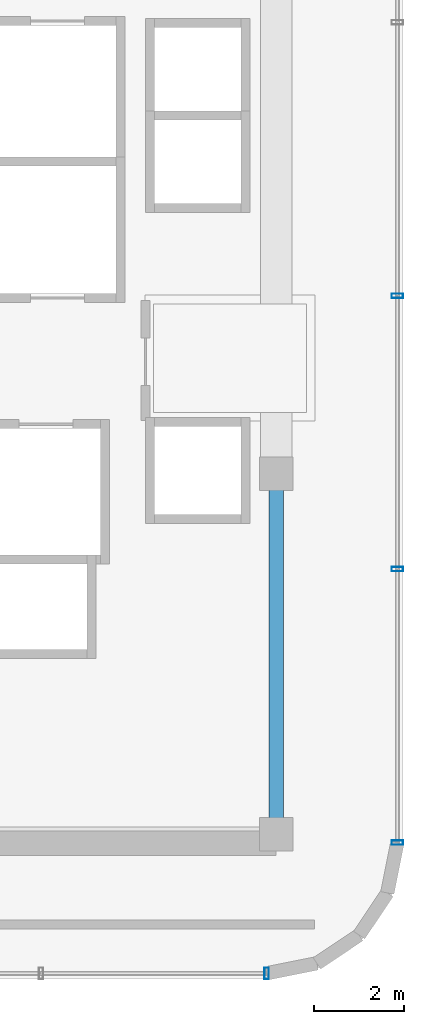
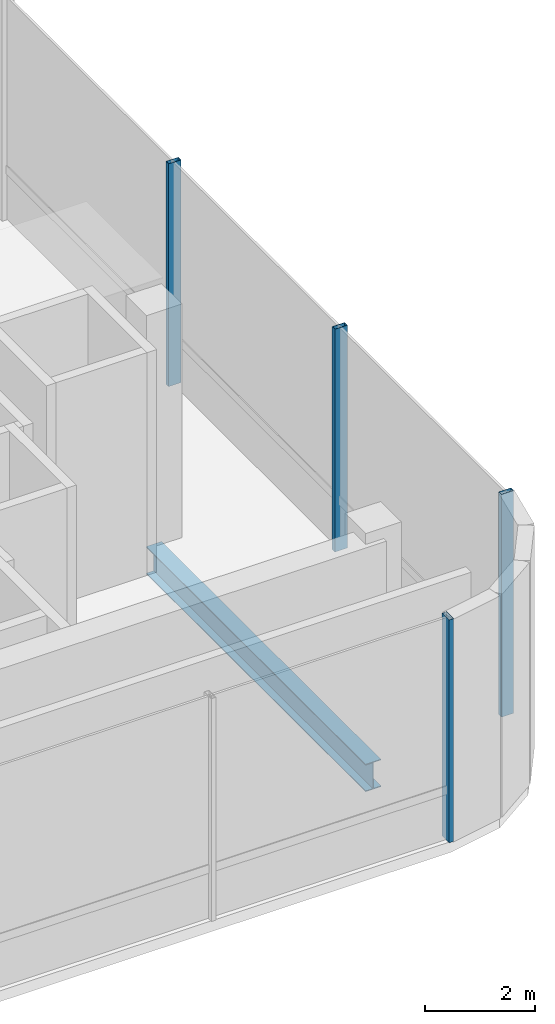
# One storey, part 5 of 13: 4 members, 1 beam, 2 elements without a shape of their own.
"""IFC4 building model written with IfcOpenShell, lengths in metres."""

import ifcopenshell
import ifcopenshell.guid

model = None  # the IFC model being written
_history = None  # IfcOwnerHistory: only IFC2X3 demands one
_inside = {}  # id of a spatial element -> (the spatial element, [elements in it])
_under = {}  # id of a project, library or spatial element -> (it, [spatial elements below it])
_declared = {}  # id of a project -> (the project, [libraries it declares])
_typed = {}  # id of a type object -> (the type object, [elements of that type])
_made_of = {}  # id of a material, layer set ... -> (it, [elements and type objects made of it])


def new_model(schema):
    """Start an empty IFC model of exactly this schema.

    Asked for "IFC4X3", IfcOpenShell would pick the latest addendum, in which some entities
    have other attributes; the version numbers below select the first issue.
    IFC2X3 requires an IfcOwnerHistory on every rooted entity: one is made here for all.
    """
    global model, _history
    if schema == "IFC4X3":
        model = ifcopenshell.file(schema_version=(4, 3, 0, 0))
    else:
        model = ifcopenshell.file(schema=schema)
    _inside.clear()
    _under.clear()
    _declared.clear()
    _typed.clear()
    _made_of.clear()
    _history = None
    if model.schema == "IFC2X3":
        org = make("IfcOrganization", Name="unknown")
        user = make(
            "IfcPersonAndOrganization",
            ThePerson=make("IfcPerson", FamilyName="unknown"),
            TheOrganization=org,
        )
        app = make(
            "IfcApplication",
            ApplicationDeveloper=org,
            Version="unknown",
            ApplicationFullName="unknown",
            ApplicationIdentifier="unknown",
        )
        _history = make(
            "IfcOwnerHistory",
            OwningUser=user,
            OwningApplication=app,
            ChangeAction="ADDED",
            CreationDate=0,
        )
    return model


def make(cls, **values):
    """One entity of the class cls with the attributes given. An attribute that is None is left unset."""
    return model.create_entity(
        cls, **{name: value for name, value in values.items() if value is not None}
    )


def rooted(cls, **values):
    """An entity with a GlobalId (a new one), such as an element, a storey or a relation."""
    return make(cls, GlobalId=ifcopenshell.guid.new(), OwnerHistory=_history, **values)


def si_unit(unit_type, name, prefix=None):
    """IfcSIUnit, for example si_unit("LENGTHUNIT", "METRE", prefix="MILLI")."""
    return make("IfcSIUnit", UnitType=unit_type, Prefix=prefix, Name=name)


def assignment(units):
    """IfcUnitAssignment: the units of a project."""
    return None if units is None else make("IfcUnitAssignment", Units=units)


def point(xyz):
    """IfcCartesianPoint."""
    return None if xyz is None else make("IfcCartesianPoint", Coordinates=xyz)


def direction(xyz):
    """IfcDirection."""
    return None if xyz is None else make("IfcDirection", DirectionRatios=xyz)


def frame(location, z_axis=None, x_axis=None):
    """IfcAxis2Placement3D, a coordinate frame: its origin and axes. An axis left out is left unset."""
    return make(
        "IfcAxis2Placement3D",
        Location=point(location),
        Axis=direction(z_axis),
        RefDirection=direction(x_axis),
    )


def frame_2d(location, x_axis=None):
    """IfcAxis2Placement2D, a coordinate frame in the plane: its origin and x axis."""
    return make(
        "IfcAxis2Placement2D", Location=point(location), RefDirection=direction(x_axis)
    )


def origin():
    """The frame at (0, 0, 0) with its axes left unset."""
    return frame((0.0, 0.0, 0.0))


def origin_2d():
    """The frame at (0, 0) in the plane with its x axis left unset."""
    return frame_2d((0.0, 0.0))


def place(relative_to, where):
    """IfcLocalPlacement: puts the frame where relative to a parent placement (None: the world)."""
    return make(
        "IfcLocalPlacement", PlacementRelTo=relative_to, RelativePlacement=where
    )


def context(
    kind, dimensions, precision=None, world=None, true_north=None, identifier=None
):
    """IfcGeometricRepresentationContext, for example the 3D "Model" context."""
    return make(
        "IfcGeometricRepresentationContext",
        ContextIdentifier=identifier,
        ContextType=kind,
        CoordinateSpaceDimension=dimensions,
        Precision=precision,
        WorldCoordinateSystem=world,
        TrueNorth=true_north,
    )


def subcontext(parent, identifier, kind, view, scale=None):
    """IfcGeometricRepresentationSubContext, for example "Body" below "Model"."""
    return make(
        "IfcGeometricRepresentationSubContext",
        ContextIdentifier=identifier,
        ContextType=kind,
        ParentContext=parent,
        TargetScale=scale,
        TargetView=view,
    )


def project(units=None, contexts=None):
    """IfcProject with its units and contexts."""
    return rooted(
        "IfcProject",
        Name="project",
        RepresentationContexts=contexts,
        UnitsInContext=assignment(units),
    )


def spatial(cls, under=None, at=None, **own):
    """A site, building, storey or space (cls), placed at a placement, below another one or the project."""
    s = rooted(cls, ObjectPlacement=at, **own)
    if under is not None:
        _under.setdefault(under.id(), (under, []))[1].append(s)
    return s


def profile(cls, at=None, kind="AREA", **sizes):
    """A parametric profile (cls). Its sizes go by their IFC names, for example OverallWidth=200.0."""
    return make(cls, ProfileType=kind, Position=at, **sizes)


def hollow_rectangle(**sizes):
    """IfcRectangleHollowProfileDef."""
    return profile("IfcRectangleHollowProfileDef", **sizes)


def i_section(**sizes):
    """IfcIShapeProfileDef."""
    return profile("IfcIShapeProfileDef", **sizes)


def extrude(swept, where, along, depth):
    """IfcExtrudedAreaSolid: the profile swept, set in the frame where, extruded along a direction by depth."""
    return make(
        "IfcExtrudedAreaSolid",
        SweptArea=swept,
        Position=where,
        ExtrudedDirection=direction(along),
        Depth=depth,
    )


def shape(context_of_items, identifier, shape_type, items):
    """IfcShapeRepresentation: the items that make up one representation, for example the "Body"."""
    return make(
        "IfcShapeRepresentation",
        ContextOfItems=context_of_items,
        RepresentationIdentifier=identifier,
        RepresentationType=shape_type,
        Items=items,
    )


def source(mapping_origin, context_of_items, identifier, shape_type, items):
    """IfcRepresentationMap: a shape defined once, which mapped items show again and again."""
    return make(
        "IfcRepresentationMap",
        MappingOrigin=mapping_origin,
        MappedRepresentation=shape(context_of_items, identifier, shape_type, items),
    )


def transform(
    local_origin,
    x_axis=None,
    y_axis=None,
    z_axis=None,
    scale=None,
    scale2=None,
    scale3=None,
    uniform=True,
):
    """IfcCartesianTransformationOperator3D, or its non-uniform kind. x_axis, y_axis, z_axis: its Axis1, 2, 3."""
    if uniform:
        return make(
            "IfcCartesianTransformationOperator3D",
            Axis1=direction(x_axis),
            Axis2=direction(y_axis),
            LocalOrigin=point(local_origin),
            Scale=scale,
            Axis3=direction(z_axis),
        )
    return make(
        "IfcCartesianTransformationOperator3DnonUniform",
        Axis1=direction(x_axis),
        Axis2=direction(y_axis),
        LocalOrigin=point(local_origin),
        Scale=scale,
        Axis3=direction(z_axis),
        Scale2=scale2,
        Scale3=scale3,
    )


def mapped(mapping_source, mapping_target):
    """IfcMappedItem: shows the shape of a source again, moved by a transform."""
    return make(
        "IfcMappedItem", MappingSource=mapping_source, MappingTarget=mapping_target
    )


def material(Name=None, Category=None):
    """IfcMaterial."""
    return make("IfcMaterial", Name=Name, Category=Category)


def material_profile(
    of_material, cross_section, Name=None, Category=None, Priority=None
):
    """IfcMaterialProfile: a cross section and its material."""
    return make(
        "IfcMaterialProfile",
        Name=Name,
        Material=of_material,
        Profile=cross_section,
        Priority=Priority,
        Category=Category,
    )


def profile_set(profiles, Name=None, composite=None):
    """IfcMaterialProfileSet."""
    return make(
        "IfcMaterialProfileSet",
        Name=Name,
        MaterialProfiles=profiles,
        CompositeProfile=composite,
    )


def made_of(thing, what):
    """Note that an element or type object is made of a material, layer set ...; save() writes the relation."""
    if what is not None:
        _made_of.setdefault(what.id(), (what, []))[1].append(thing)
    return thing


def type_object(cls, material=None, **own):
    """A type object (cls), such as IfcWallType, which elements share."""
    return made_of(rooted(cls, **own), material)


def element(
    cls,
    number,
    at=None,
    inside=None,
    cuts=None,
    type_object=None,
    material=None,
    context=None,
    identifier="Body",
    shape_type=None,
    held_by="IfcProductDefinitionShape",
    body=None,
    shapes=None,
    **own,
):
    """One element of the class cls, such as IfcWall. Its Tag is "e" and its number.

    at: its placement. inside: the storey or other place that contains it. cuts: it is an
    opening in that element (IfcRelVoidsElement). A single representation is given by context,
    identifier, shape_type and body (its items); several are given by shapes. held_by: the class
    of the entity that holds the representations. save() writes the other relations.
    """
    e = rooted(cls, Tag="e%d" % number, ObjectPlacement=at, **own)
    if body is not None:
        shapes = [shape(context, identifier, shape_type, body)]
    if shapes is not None:
        e.Representation = make(held_by, Representations=shapes)
    if inside is not None:
        _inside.setdefault(inside.id(), (inside, []))[1].append(e)
    if cuts is not None:
        rooted(
            "IfcRelVoidsElement", RelatingBuildingElement=cuts, RelatedOpeningElement=e
        )
    if type_object is not None:
        _typed.setdefault(type_object.id(), (type_object, []))[1].append(e)
    return made_of(e, material)


def aggregate(whole, parts):
    """IfcRelAggregates: a whole, such as a stair, and the parts it consists of."""
    return rooted("IfcRelAggregates", RelatingObject=whole, RelatedObjects=parts)


def save(model, path):
    """Write the relations noted so far, then the file.

    IfcRelAggregates (storeys below a building ...), IfcRelContainedInSpatialStructure (elements
    in a storey), IfcRelDefinesByType, IfcRelAssociatesMaterial and IfcRelDeclares: one each for
    every whole, place, type object, material and project.
    """
    for whole, parts in _under.values():
        aggregate(whole, parts)
    for where, things in _inside.values():
        rooted(
            "IfcRelContainedInSpatialStructure",
            RelatedElements=things,
            RelatingStructure=where,
        )
    for kind, things in _typed.values():
        rooted("IfcRelDefinesByType", RelatedObjects=things, RelatingType=kind)
    for what, things in _made_of.values():
        rooted("IfcRelAssociatesMaterial", RelatedObjects=things, RelatingMaterial=what)
    for by, libraries in _declared.values():
        rooted("IfcRelDeclares", RelatingContext=by, RelatedDefinitions=libraries)
    model.write(path)


model = new_model("IFC4")

# Units and contexts
model_context = context("Model", 3, precision=1e-05, world=origin(), true_north=direction((0.0, 1.0)))
body_context = subcontext(model_context, "Body", "Model", "MODEL_VIEW")
ifc_project = project(units=[si_unit("LENGTHUNIT", "METRE"), si_unit("AREAUNIT", "SQUARE_METRE"), si_unit("VOLUMEUNIT", "CUBIC_METRE"), si_unit("PLANEANGLEUNIT", "RADIAN"), si_unit("MASSUNIT", "GRAM", prefix="KILO")], contexts=[model_context])

# Site, building, storey
site_placement = place(None, origin())
site = spatial("IfcSite", under=ifc_project, at=site_placement, CompositionType="ELEMENT")
building_placement = place(site_placement, origin())
building = spatial("IfcBuilding", under=site, at=building_placement, Name="Valdorenza Pilgrim Sanctuary Tower", CompositionType="ELEMENT")
storey_placement = place(building_placement, frame((0.0, 0.0, 294.199951171875)))
storey = spatial("IfcBuildingStorey", under=building, at=storey_placement, Name="L77", CompositionType="ELEMENT", Elevation=294.199951171875)

# Beam
ifc_material_1 = material(Name="Steel ASTM A992 Grade 50", Category="steel")
ifc_material_profile_1 = material_profile(ifc_material_1, i_section(OverallWidth=0.323974609375, OverallDepth=0.611083984375, WebThickness=0.0126953125, FlangeThickness=0.01904296875, at=origin_2d()), Name="W24X104")
ifc_profile_set_1 = profile_set([ifc_material_profile_1], Name="Steel ASTM A992 Grade 50")
beam_type = type_object("IfcBeamType", Name="STR-BM-GRD-W24B", PredefinedType="BEAM", material=ifc_profile_set_1)
shared_shape_1 = source(origin(), body_context, "Body", "SweptSolid", [
    extrude(i_section(OverallWidth=0.323974609375, OverallDepth=0.611083984375, WebThickness=0.0126953125, FlangeThickness=0.01904296875, at=origin_2d()), origin(), (0.0, 0.0, 1.0), 8.0),
])
beam_placement = place(storey_placement, frame((-12.39990234375, -10.60009765625, -0.54541015625), z_axis=(0.0, 1.0, 0.0), x_axis=(-1.0, 0.0, 0.0)))
element("IfcBeam", 1, at=beam_placement, inside=storey, type_object=beam_type, Name="L77 Core Tie Girder CA-E-S1M0", PredefinedType="BEAM", context=body_context, shape_type="MappedRepresentation", body=[
    mapped(shared_shape_1, transform((0.0, 0.0, 0.0), x_axis=(1.0, 0.0, 0.0), y_axis=(0.0, 1.0, 0.0), z_axis=(0.0, 0.0, 1.0), scale=1.0)),
])

# Curtain wall, members
ifc_material_2 = material(Name="Curtain-wall IGU glazing", Category="glass")
curtain_wall_type = type_object("IfcCurtainWallType", Name="CW-SYS-06", PredefinedType="NOTDEFINED", material=ifc_material_2)
curtain_wall_1_placement = place(storey_placement, origin())
curtain_wall_1 = element("IfcCurtainWall", 2, at=curtain_wall_1_placement, inside=storey, type_object=curtain_wall_type, Name="L77 Curtain Wall CW-L77-1-11", PredefinedType="NOTDEFINED")
ifc_material_3 = material(Name="Anodised aluminium AW-6060", Category="aluminium")
ifc_material_profile_2 = material_profile(ifc_material_3, hollow_rectangle(XDim=0.10009765625, YDim=0.260009765625, WallThickness=0.006103515625, at=origin_2d()), Name="ALU-M 260x100x6")
ifc_profile_set_2 = profile_set([ifc_material_profile_2], Name="Anodised aluminium AW-6060")
member_type = type_object("IfcMemberType", Name="CW-MUL-06", PredefinedType="MULLION", material=ifc_profile_set_2)
shared_shape_2 = source(origin(), body_context, "Body", "SweptSolid", [
    extrude(hollow_rectangle(XDim=0.10009765625, YDim=0.260009765625, WallThickness=0.006103515625, at=origin_2d()), origin(), (0.0, 0.0, 1.0), 4.9599609375),
])
member_1_placement = place(storey_placement, frame((-9.7099609375, 1.35009765625, 0.0), z_axis=(0.0, 0.0, 1.0), x_axis=(0.0, -1.0, 0.0)))
member_1 = element("IfcMember", 3, at=member_1_placement, type_object=member_type, Name="CW-L77-1-11 Mullion 3", PredefinedType="MULLION", context=body_context, shape_type="MappedRepresentation", body=[
    mapped(shared_shape_2, transform((0.0, 0.0, 0.0), x_axis=(1.0, 0.0, 0.0), y_axis=(0.0, 1.0, 0.0), z_axis=(0.0, 0.0, 1.0), scale=1.0)),
])
member_2_placement = place(storey_placement, frame((-9.7099609375, -4.719482421875, 0.0), z_axis=(0.0, 0.0, 1.0), x_axis=(0.0, -1.0, 0.0)))
member_2 = element("IfcMember", 4, at=member_2_placement, type_object=member_type, Name="CW-L77-1-11 Mullion 4", PredefinedType="MULLION", context=body_context, shape_type="MappedRepresentation", body=[
    mapped(shared_shape_2, transform((0.0, 0.0, 0.0), x_axis=(1.0, 0.0, 0.0), y_axis=(0.0, 1.0, 0.0), z_axis=(0.0, 0.0, 1.0), scale=1.0)),
])
member_3_placement = place(storey_placement, frame((-9.7099609375, -10.789306640625, 0.0), z_axis=(0.0, 0.0, 1.0), x_axis=(0.0, -1.0, 0.0)))
member_3 = element("IfcMember", 5, at=member_3_placement, type_object=member_type, Name="CW-L77-1-11 Mullion 5", PredefinedType="MULLION", context=body_context, shape_type="MappedRepresentation", body=[
    mapped(shared_shape_2, transform((0.0, 0.0, 0.0), x_axis=(1.0, 0.0, 0.0), y_axis=(0.0, 1.0, 0.0), z_axis=(0.0, 0.0, 1.0), scale=1.0)),
])
aggregate(curtain_wall_1, [member_1, member_2, member_3])

# Curtain wall, member
curtain_wall_2_placement = place(storey_placement, origin())
curtain_wall_2 = element("IfcCurtainWall", 6, at=curtain_wall_2_placement, inside=storey, type_object=curtain_wall_type, Name="L77 Curtain Wall CW-L77-1-16", PredefinedType="NOTDEFINED")
member_4_placement = place(storey_placement, frame((-12.61083984375, -13.68994140625, 0.0), z_axis=(0.0, 0.0, 1.0), x_axis=(-1.0, 0.0, 0.0)))
member_4 = element("IfcMember", 7, at=member_4_placement, type_object=member_type, Name="CW-L77-1-16 Mullion 1", PredefinedType="MULLION", context=body_context, shape_type="MappedRepresentation", body=[
    mapped(shared_shape_2, transform((0.0, 0.0, 0.0), x_axis=(1.0, 0.0, 0.0), y_axis=(0.0, 1.0, 0.0), z_axis=(0.0, 0.0, 1.0), scale=1.0)),
])
aggregate(curtain_wall_2, [member_4])

save(model, "model.ifc")
